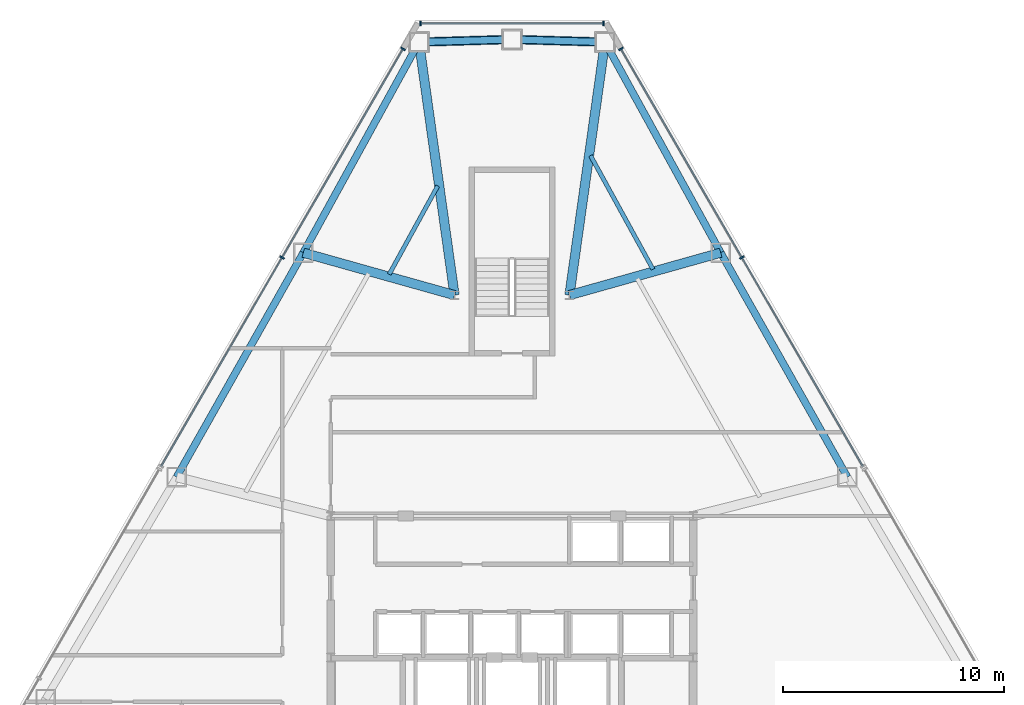
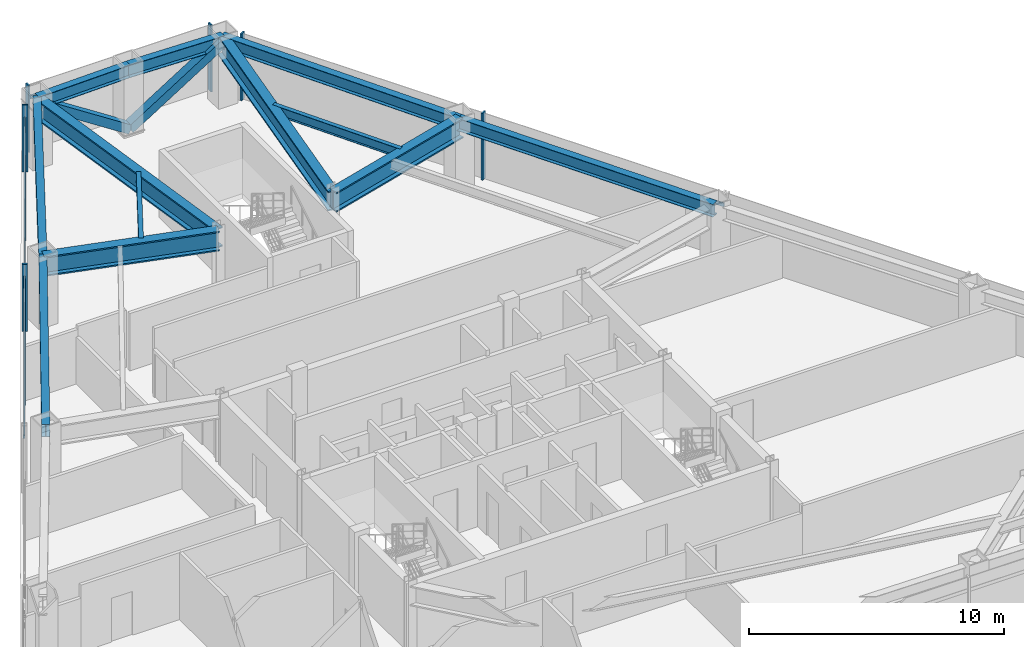
# One storey, part 8 of 13: 12 beams, 11 members, 3 elements without a shape of their own.
"""IFC4 building model written with IfcOpenShell, lengths in metres."""

from ifc_helpers import new_model, si_unit, direction, frame, origin, origin_2d, place, context, subcontext, project, spatial, rectangle, hollow_rectangle, i_section, extrude, source, transform, mapped, material, layer, layer_set, material_profile, profile_set, type_object, type_shapes, element, aggregate, save


model = new_model("IFC4")

# Units and contexts
model_context = context("Model", 3, precision=1e-05, world=origin(), true_north=direction((0.0, 1.0)))
body_context = subcontext(model_context, "Body", "Model", "MODEL_VIEW")
ifc_project = project(units=[si_unit("LENGTHUNIT", "METRE"), si_unit("AREAUNIT", "SQUARE_METRE"), si_unit("VOLUMEUNIT", "CUBIC_METRE"), si_unit("PLANEANGLEUNIT", "RADIAN"), si_unit("MASSUNIT", "GRAM", prefix="KILO")], contexts=[model_context])

# Site, building, storey
site_placement = place(None, origin())
site = spatial("IfcSite", under=ifc_project, at=site_placement, CompositionType="ELEMENT")
building_placement = place(site_placement, origin())
building = spatial("IfcBuilding", under=site, at=building_placement, Name="Varakhsha Concourse Tower", CompositionType="ELEMENT")
storey_placement = place(building_placement, frame((0.0, 0.0, 122.89990234375)))
storey = spatial("IfcBuildingStorey", under=building, at=storey_placement, Name="L35", CompositionType="ELEMENT", Elevation=122.89990234375)

# Beams
ifc_material_1 = material(Name="Structural Steel ASTM A992 Grade 50", Category="steel")
ifc_material_profile_1 = material_profile(ifc_material_1, i_section(OverallWidth=0.19091796875, OverallDepth=0.45703125, WebThickness=0.009033203125, FlangeThickness=0.013916015625, at=origin_2d()), Name="W18X50")
ifc_profile_set_1 = profile_set([ifc_material_profile_1], Name="Structural Steel ASTM A992 Grade 50")
beam_type_1 = type_object("IfcBeamType", Name="BM-JST-W18X50", PredefinedType="JOIST", material=ifc_profile_set_1)
beam_1_placement = place(storey_placement, frame((36.63916015625, 46.142578125, 2.981689453125), z_axis=(-0.481510175504, -0.876440500482, 0.0), x_axis=(0.876440500482, -0.481510175504, 0.0)))
element("IfcBeam", 1, at=beam_1_placement, inside=storey, type_object=beam_type_1, Name="BM-TJST-L35-03", PredefinedType="JOIST", context=body_context, shape_type="SweptSolid", body=[
    extrude(i_section(OverallWidth=0.19091796875, OverallDepth=0.45703125, WebThickness=0.009033203125, FlangeThickness=0.013916015625, at=origin_2d()), origin(), (0.0, 0.0, 1.0), 4.5654296875),
])
beam_2_placement = place(storey_placement, frame((46.380615234375, 42.371826171875, 2.981689453125), z_axis=(-0.481513189039, 0.876438844861, 0.0), x_axis=(-0.876438844861, -0.481513189039, 0.0)))
element("IfcBeam", 2, at=beam_2_placement, inside=storey, type_object=beam_type_1, Name="BM-TJST-L35-18", PredefinedType="JOIST", context=body_context, shape_type="SweptSolid", body=[
    extrude(i_section(OverallWidth=0.19091796875, OverallDepth=0.45703125, WebThickness=0.009033203125, FlangeThickness=0.013916015625, at=origin_2d()), origin(), (0.0, 0.0, 1.0), 5.870361328125),
])
ifc_material_profile_2 = material_profile(ifc_material_1, i_section(OverallWidth=0.423095703125, OverallDepth=0.947998046875, WebThickness=0.0380859375, FlangeThickness=0.06396484375, at=origin_2d()), Name="W36X302")
ifc_profile_set_2 = profile_set([ifc_material_profile_2], Name="Structural Steel ASTM A992 Grade 50")
beam_type_2 = type_object("IfcBeamType", Name="BM-OUTR-W36X302", PredefinedType="USERDEFINED", material=ifc_profile_set_2)
for number, where, z_axis, x_axis, name in (
    (3, (42.60009765625, 41.199951171875, 2.736083984375), (0.139121563406, 0.990275310505, 0.0), (-0.990275310505, 0.139121563406, 0.0), "L35 Radial Floor Girder 01"),
    (4, (37.39990234375, 41.199951171875, 2.736083984375), (-0.139121563406, 0.990275310505, 0.0), (-0.990275310505, -0.139121563406, 0.0), "L35 Radial Floor Girder 03"),
):
    element("IfcBeam", number, at=place(storey_placement, frame(where, z_axis=z_axis, x_axis=x_axis)), inside=storey, type_object=beam_type_2, Name=name, ObjectType="GIRDER", PredefinedType="USERDEFINED", context=body_context, shape_type="SweptSolid", body=[
        extrude(i_section(OverallWidth=0.423095703125, OverallDepth=0.947998046875, WebThickness=0.0380859375, FlangeThickness=0.06396484375, at=origin_2d()), origin(), (0.0, 0.0, 1.0), 11.564697265625),
    ])
for number, where, z_axis, x_axis, name in (
    (5, (37.39990234375, 41.199951171875, 2.736083984375), (-0.962829448279, 0.270110076685, 0.0), (-0.270110076685, -0.962829448279, 0.0), "L35 Radial Floor Girder 04"),
    (6, (42.60009765625, 41.199951171875, 2.736083984375), (0.962829448279, 0.270110076685, 0.0), (-0.270110076685, 0.962829448279, 0.0), "L35 Radial Floor Girder 18"),
):
    element("IfcBeam", number, at=place(storey_placement, frame(where, z_axis=z_axis, x_axis=x_axis)), inside=storey, type_object=beam_type_2, Name=name, ObjectType="GIRDER", PredefinedType="USERDEFINED", context=body_context, shape_type="SweptSolid", body=[
        extrude(i_section(OverallWidth=0.423095703125, OverallDepth=0.947998046875, WebThickness=0.0380859375, FlangeThickness=0.06396484375, at=origin_2d()), origin(), (0.0, 0.0, 1.0), 7.109619140625),
    ])
ifc_material_profile_3 = material_profile(ifc_material_1, i_section(OverallWidth=0.323974609375, OverallDepth=0.611083984375, WebThickness=0.012939453125, FlangeThickness=0.01904296875, at=origin_2d()), Name="W24X104")
ifc_profile_set_3 = profile_set([ifc_material_profile_3], Name="Structural Steel ASTM A992 Grade 50")
beam_type_3 = type_object("IfcBeamType", Name="BM-SPAN-W24X104", PredefinedType="SPANDREL", material=ifc_profile_set_3)
for number, where, z_axis, x_axis, name in (
    (7, (44.208984375, 52.652099609375, 2.904541015625), (-0.999586391622, 0.028758401986, 0.0), (-0.028758401986, -0.999586391622, 0.0), "BM-SPAN-L35-01"),
    (8, (40.0, 52.773193359375, 2.904541015625), (-0.999586391622, -0.028758401986, 0.0), (0.028758401986, -0.999586391622, 0.0), "BM-SPAN-L35-02"),
):
    element("IfcBeam", number, at=place(storey_placement, frame(where, z_axis=z_axis, x_axis=x_axis)), inside=storey, type_object=beam_type_3, Name=name, PredefinedType="SPANDREL", context=body_context, shape_type="SweptSolid", body=[
        extrude(i_section(OverallWidth=0.323974609375, OverallDepth=0.611083984375, WebThickness=0.012939453125, FlangeThickness=0.01904296875, at=origin_2d()), origin(), (0.0, 0.0, 1.0), 4.210693359375),
    ])
beam_3_placement = place(storey_placement, frame((35.791015625, 52.652099609375, 2.904541015625), z_axis=(-0.481503329039, -0.876444261847, 0.0), x_axis=(0.876444261847, -0.481503329039, 0.0)))
element("IfcBeam", 9, at=beam_3_placement, inside=storey, type_object=beam_type_3, Name="BM-SPAN-L35-03", PredefinedType="SPANDREL", context=body_context, shape_type="SweptSolid", body=[
    extrude(i_section(OverallWidth=0.323974609375, OverallDepth=0.611083984375, WebThickness=0.012939453125, FlangeThickness=0.01904296875, at=origin_2d()), origin(), (0.0, 0.0, 1.0), 10.87548828125),
])
for number, where, z_axis, x_axis, name in (
    (10, (30.554443359375, 43.120361328125, 2.904541015625), (-0.491700615918, -0.870764321907, 0.0), (0.870764321907, -0.491700615918, 0.0), "BM-SPAN-L35-04"),
    (11, (55.180419921875, 32.96435546875, 2.904541015625), (-0.491700615918, 0.870764321907, 0.0), (-0.870764321907, -0.491700615918, 0.0), "BM-SPAN-L35-17"),
):
    element("IfcBeam", number, at=place(storey_placement, frame(where, z_axis=z_axis, x_axis=x_axis)), inside=storey, type_object=beam_type_3, Name=name, PredefinedType="SPANDREL", context=body_context, shape_type="SweptSolid", body=[
        extrude(i_section(OverallWidth=0.323974609375, OverallDepth=0.611083984375, WebThickness=0.012939453125, FlangeThickness=0.01904296875, at=origin_2d()), origin(), (0.0, 0.0, 1.0), 11.663330078125),
    ])
beam_4_placement = place(storey_placement, frame((49.445556640625, 43.120361328125, 2.904541015625), z_axis=(-0.481503329039, 0.876444261847, 0.0), x_axis=(-0.876444261847, -0.481503329039, 0.0)))
element("IfcBeam", 12, at=beam_4_placement, inside=storey, type_object=beam_type_3, Name="BM-SPAN-L35-18", PredefinedType="SPANDREL", context=body_context, shape_type="SweptSolid", body=[
    extrude(i_section(OverallWidth=0.323974609375, OverallDepth=0.611083984375, WebThickness=0.012939453125, FlangeThickness=0.01904296875, at=origin_2d()), origin(), (0.0, 0.0, 1.0), 10.87548828125),
])

# Members
ifc_material_2 = material(Name="Structural Steel ASTM A500 Grade C", Category="steel")
ifc_material_profile_4 = material_profile(ifc_material_2, hollow_rectangle(XDim=0.39990234375, YDim=0.39990234375, WallThickness=0.01611328125, at=origin_2d()), Name="HSS 400x400x16")
ifc_profile_set_4 = profile_set([ifc_material_profile_4], Name="Structural Steel ASTM A500 Grade C")
member_type_1 = type_object("IfcMemberType", Name="MB-TUBE-HSS400", PredefinedType="BRACE", material=ifc_profile_set_4)
shared_shape_1 = source(origin(), body_context, "Body", "SweptSolid", [
    extrude(hollow_rectangle(XDim=0.39990234375, YDim=0.39990234375, WallThickness=0.01611328125, at=origin_2d()), origin(), (0.0, 0.0, 1.0), 5.05126953125),
])
type_shapes(member_type_1, [shared_shape_1])
for number, where, z_axis, x_axis, name in (
    (13, (40.0, 52.773193359375, 0.1201171875), (0.833265723688, -0.023973306204, 0.552352708255), (0.028758401986, 0.999586391622, 0.0), "L35 Wind-Corner Tube Brace B01"),
    (14, (40.0, 52.773193359375, 0.1201171875), (-0.833265723688, -0.023973306204, 0.552352708255), (0.028758401986, -0.999586391622, 0.0), "L35 Wind-Corner Tube Brace B02"),
):
    element("IfcMember", number, at=place(storey_placement, frame(where, z_axis=z_axis, x_axis=x_axis)), inside=storey, type_object=member_type_1, Name=name, PredefinedType="BRACE", context=body_context, shape_type="MappedRepresentation", body=[
        mapped(shared_shape_1, transform((0.0, 0.0, 0.0), scale=1.0)),
    ])

# Curtain wall, member
ifc_material_3 = material(Name="Anodised Bronze Architectural Aluminium AA 6063-T6", Category="aluminium")
ifc_layer = layer(ifc_material_3, 0.2099609375, Name="CW-SYS-04")
ifc_layer_set = layer_set([ifc_layer], Name="Anodised Bronze Architectural Aluminium AA 6063-T6")
curtain_wall_type = type_object("IfcCurtainWallType", Name="CW-SYS-04", PredefinedType="NOTDEFINED", material=ifc_layer_set)
curtain_wall_1_placement = place(storey_placement, origin())
curtain_wall_1 = element("IfcCurtainWall", 15, at=curtain_wall_1_placement, inside=storey, type_object=curtain_wall_type, Name="L35 Crystal Curtain Wall F2", PredefinedType="NOTDEFINED")
ifc_material_profile_5 = material_profile(ifc_material_3, rectangle(XDim=0.06494140625, YDim=0.159912109375, at=origin_2d()), Name="CWT-160X65")
ifc_profile_set_5 = profile_set([ifc_material_profile_5], Name="Anodised Bronze Architectural Aluminium AA 6063-T6")
member_type_2 = type_object("IfcMemberType", Name="CWT-160X65", PredefinedType="USERDEFINED", material=ifc_profile_set_5)
shared_shape_2 = source(origin(), body_context, "Body", "SweptSolid", [
    extrude(rectangle(XDim=0.06494140625, YDim=0.159912109375, at=origin_2d()), origin(), (0.0, 0.0, 1.0), 21.828857421875),
])
member_1_placement = place(storey_placement, frame((24.121826171875, 33.459228515625, 2.56005859375), z_axis=(0.501506171325, 0.865154067276, 0.0), x_axis=(-0.865154067276, 0.501506171325, 0.0)))
member_1 = element("IfcMember", 16, at=member_1_placement, type_object=member_type_2, Name="CW-L35-F2 Transom 01", ObjectType="TRANSOM", PredefinedType="USERDEFINED", context=body_context, shape_type="MappedRepresentation", body=[
    mapped(shared_shape_2, transform((0.0, 0.0, 0.0), scale=1.0)),
])

curtain_wall_2_placement = place(storey_placement, origin())
curtain_wall_2 = element("IfcCurtainWall", 17, at=curtain_wall_2_placement, inside=storey, type_object=curtain_wall_type, Name="L35 Crystal Curtain Wall F9", PredefinedType="NOTDEFINED")
member_2_placement = place(storey_placement, frame((44.930908203125, 52.344482421875, 2.56005859375), z_axis=(0.501506171325, -0.865154067276, 0.0), x_axis=(0.865154067276, 0.501506171325, 0.0)))
member_2 = element("IfcMember", 18, at=member_2_placement, type_object=member_type_2, Name="CW-L35-F9 Transom 01", ObjectType="TRANSOM", PredefinedType="USERDEFINED", context=body_context, shape_type="MappedRepresentation", body=[
    mapped(shared_shape_2, transform((0.0, 0.0, 0.0), scale=1.0)),
])

# Curtain wall, members
curtain_wall_3_placement = place(storey_placement, origin())
curtain_wall_3 = element("IfcCurtainWall", 19, at=curtain_wall_3_placement, inside=storey, type_object=curtain_wall_type, Name="L35 Chamfer Curtain Wall F1", PredefinedType="NOTDEFINED")
ifc_material_profile_6 = material_profile(ifc_material_3, rectangle(XDim=0.074951171875, YDim=0.219970703125, at=origin_2d()), Name="CWM-220X75")
ifc_profile_set_6 = profile_set([ifc_material_profile_6], Name="Anodised Bronze Architectural Aluminium AA 6063-T6")
member_type_3 = type_object("IfcMemberType", Name="CWM-220X75", PredefinedType="MULLION", material=ifc_profile_set_6)
shared_shape_3 = source(origin(), body_context, "Body", "SweptSolid", [
    extrude(rectangle(XDim=0.074951171875, YDim=0.219970703125, at=origin_2d()), origin(), (0.0, 0.0, 1.0), 3.210205078125),
])
type_shapes(member_type_3, [shared_shape_3])
member_3_placement = place(storey_placement, frame((35.86279296875, 53.4931640625, 0.0), z_axis=(0.0, 0.0, 1.0), x_axis=(1.0, 0.0, 0.0)))
member_3 = element("IfcMember", 20, at=member_3_placement, type_object=member_type_3, Name="CW-L35-F1 Mullion 00", PredefinedType="MULLION", context=body_context, shape_type="MappedRepresentation", body=[
    mapped(shared_shape_3, transform((0.0, 0.0, 0.0), scale=1.0)),
])
member_4_placement = place(storey_placement, frame((44.13720703125, 53.4931640625, 0.0), z_axis=(0.0, 0.0, 1.0), x_axis=(1.0, 0.0, 0.0)))
member_4 = element("IfcMember", 21, at=member_4_placement, type_object=member_type_3, Name="CW-L35-F1 Mullion 01", PredefinedType="MULLION", context=body_context, shape_type="MappedRepresentation", body=[
    mapped(shared_shape_3, transform((0.0, 0.0, 0.0), scale=1.0)),
])

# Member
member_5_placement = place(storey_placement, frame((29.595458984375, 42.90185546875, 0.0), z_axis=(0.0, 0.0, 1.0), x_axis=(0.501513757105, 0.865149669962, 0.0)))
member_5 = element("IfcMember", 22, at=member_5_placement, type_object=member_type_3, Name="CW-L35-F2 Mullion 01", PredefinedType="MULLION", context=body_context, shape_type="MappedRepresentation", body=[
    mapped(shared_shape_3, transform((0.0, 0.0, 0.0), scale=1.0)),
])

member_6_placement = place(storey_placement, frame((35.069091796875, 52.344482421875, 0.0), z_axis=(0.0, 0.0, 1.0), x_axis=(0.501513757105, 0.865149669962, 0.0)))
member_6 = element("IfcMember", 23, at=member_6_placement, type_object=member_type_3, Name="CW-L35-F2 Mullion 02", PredefinedType="MULLION", context=body_context, shape_type="MappedRepresentation", body=[
    mapped(shared_shape_3, transform((0.0, 0.0, 0.0), scale=1.0)),
])

aggregate(curtain_wall_1, [member_5, member_6, member_1])

member_7_placement = place(storey_placement, frame((44.930908203125, 52.344482421875, 0.0), z_axis=(0.0, 0.0, 1.0), x_axis=(0.501513757105, -0.865149669962, 0.0)))
member_7 = element("IfcMember", 24, at=member_7_placement, type_object=member_type_3, Name="CW-L35-F9 Mullion 00", PredefinedType="MULLION", context=body_context, shape_type="MappedRepresentation", body=[
    mapped(shared_shape_3, transform((0.0, 0.0, 0.0), scale=1.0)),
])

member_8_placement = place(storey_placement, frame((50.404541015625, 42.90185546875, 0.0), z_axis=(0.0, 0.0, 1.0), x_axis=(0.501513757105, -0.865149669962, 0.0)))
member_8 = element("IfcMember", 25, at=member_8_placement, type_object=member_type_3, Name="CW-L35-F9 Mullion 01", PredefinedType="MULLION", context=body_context, shape_type="MappedRepresentation", body=[
    mapped(shared_shape_3, transform((0.0, 0.0, 0.0), scale=1.0)),
])

aggregate(curtain_wall_2, [member_7, member_8, member_2])

shared_shape_4 = source(origin(), body_context, "Body", "SweptSolid", [
    extrude(rectangle(XDim=0.06494140625, YDim=0.159912109375, at=origin_2d()), origin(), (0.0, 0.0, 1.0), 8.2744140625),
])
type_shapes(member_type_2, [shared_shape_2, shared_shape_4])
member_9_placement = place(storey_placement, frame((35.86279296875, 53.4931640625, 2.56005859375), z_axis=(1.0, 0.0, 0.0), x_axis=(0.0, 1.0, 0.0)))
member_9 = element("IfcMember", 26, at=member_9_placement, type_object=member_type_2, Name="CW-L35-F1 Transom 01", ObjectType="TRANSOM", PredefinedType="USERDEFINED", context=body_context, shape_type="MappedRepresentation", body=[
    mapped(shared_shape_4, transform((0.0, 0.0, 0.0), scale=1.0)),
])

aggregate(curtain_wall_3, [member_3, member_4, member_9])

save(model, "model.ifc")
